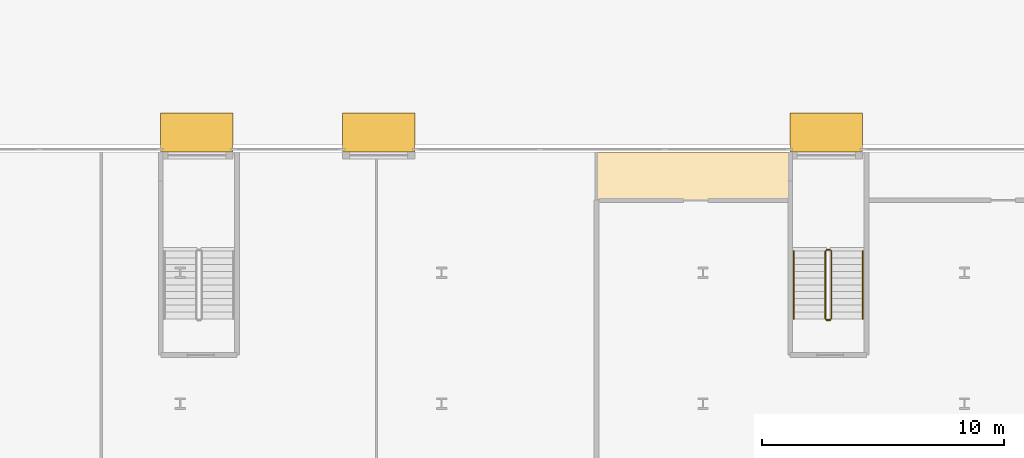
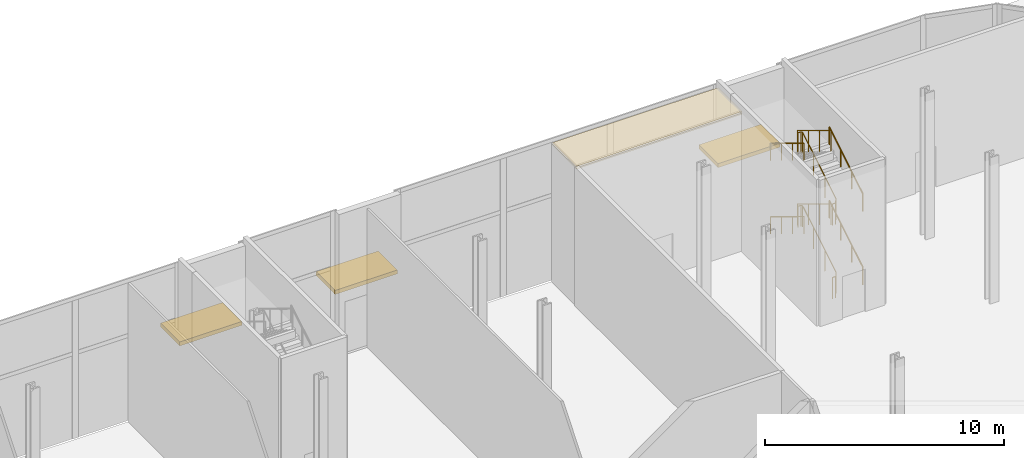
# One storey, part 45 of 46: 6 railings, 3 shading devices, 1 covering.
"""IFC4 building model written with IfcOpenShell, lengths in metres."""

from ifc_helpers import new_model, si_unit, direction, frame, origin, origin_2d, place, context, subcontext, project, spatial, polyline, rectangle, circle, outline, extrude, material, layer, layer_set, type_object, element, save


model = new_model("IFC4")

# Units and contexts
model_context = context("Model", 3, precision=1e-05, world=origin(), true_north=direction((0.0, 1.0)))
body_context = subcontext(model_context, "Body", "Model", "MODEL_VIEW")
ifc_project = project(units=[si_unit("LENGTHUNIT", "METRE"), si_unit("AREAUNIT", "SQUARE_METRE"), si_unit("VOLUMEUNIT", "CUBIC_METRE"), si_unit("PLANEANGLEUNIT", "RADIAN"), si_unit("MASSUNIT", "GRAM", prefix="KILO")], contexts=[model_context])

# Site, building, storey
site_placement = place(None, origin())
site = spatial("IfcSite", under=ifc_project, at=site_placement, CompositionType="ELEMENT")
building_placement = place(site_placement, origin())
building = spatial("IfcBuilding", under=site, at=building_placement, Name="Kheshtan School and Residences Tower", CompositionType="ELEMENT")
storey_placement = place(building_placement, origin())
storey = spatial("IfcBuildingStorey", under=building, at=storey_placement, Name="L00", CompositionType="ELEMENT", Elevation=0.0)

# Shading devices
ifc_material_1 = material(Name="Zinc standing seam on insulated deck")
ifc_layer_1 = layer(ifc_material_1, 0.10009765625)
ifc_layer_set_1 = layer_set([ifc_layer_1], Name="Canopy awning")
shading_device_type = type_object("IfcShadingDeviceType", Name="Canopy awning", PredefinedType="AWNING", material=ifc_layer_set_1)
for number, where, z_axis, x_axis, name in (
    (1, (91.489990234375, 110.800048828125, 3.0), (0.0, 0.0, 1.0), (1.0, 0.0, 0.0), "Entrance canopy 4.7"),
    (2, (99.0, 110.800048828125, 3.0), (0.0, 0.0, 1.0), (1.0, 0.0, 0.0), "Entrance canopy 4.9"),
    (3, (117.489990234375, 110.800048828125, 3.0), (0.0, 0.0, 1.0), (1.0, 0.0, 0.0), "Entrance canopy 4.11"),
):
    element("IfcShadingDevice", number, at=place(storey_placement, frame(where, z_axis=z_axis, x_axis=x_axis)), inside=storey, type_object=shading_device_type, Name=name, PredefinedType="AWNING", context=body_context, shape_type="SweptSolid", body=[
        extrude(rectangle(XDim=3.0, YDim=1.60009765625, at=origin_2d()), origin(), (0.0, 0.0, 1.0), 0.199951171875),
    ])

# Railings
ifc_material_2 = material(Name="Stainless steel balustrade", Category="steel")
railing_type_1 = type_object("IfcRailingType", Name="Stair guard 1100", PredefinedType="GUARDRAIL", material=ifc_material_2)
railing_1_placement = place(storey_placement, frame((117.699951171875, 103.10009765625, 0.17041015625)))
element("IfcRailing", 4, at=railing_1_placement, inside=storey, type_object=railing_type_1, Name="L00 PS-116-102 stair guard 1", PredefinedType="GUARDRAIL", context=body_context, shape_type="SweptSolid", body=[
    extrude(circle(Radius=0.02392578125, at=origin_2d()), frame((0.0, 0.0, 1.076171875), z_axis=(0.0, 0.854149651119, 0.520027281489), x_axis=(-1.0, 0.0, 0.0)), (0.0, 0.0, 1.0), 3.27783203125),
    extrude(circle(Radius=0.02392578125, at=origin_2d()), frame((0.0, 2.7998046875, 2.78076171875), z_axis=(-0.707106781187, 0.707106781187, 0.0), x_axis=(-0.707106781187, -0.707106781187, 0.0)), (0.0, 0.0, 1.0), 0.07080078125),
    extrude(circle(Radius=0.02392578125, at=origin_2d()), frame((-0.050048828125, 2.849853515625, 2.78076171875), z_axis=(-1.0, 0.0, 0.0), x_axis=(0.0, -1.0, 0.0)), (0.0, 0.0, 1.0), 0.14990234375),
    extrude(circle(Radius=0.02392578125, at=origin_2d()), frame((-0.199951171875, 2.849853515625, 2.78076171875), z_axis=(-0.271230943075, -0.271230943075, 0.923508284228), x_axis=(0.707106781187, -0.707106781187, 0.0)), (0.0, 0.0, 1.0), 0.1845703125),
    extrude(circle(Radius=0.02392578125, at=origin_2d()), frame((-0.25, 2.7998046875, 2.951171875), z_axis=(0.0, -0.854149651119, 0.520027281489), x_axis=(1.0, 0.0, 0.0)), (0.0, 0.0, 1.0), 3.27783203125),
    extrude(circle(Radius=0.02392578125, at=origin_2d()), frame((-0.25, 0.0, 4.65576171875), z_axis=(0.707106781187, -0.707106781187, 0.0), x_axis=(0.707106781187, 0.707106781187, 0.0)), (0.0, 0.0, 1.0), 0.07080078125),
    extrude(circle(Radius=0.02392578125, at=origin_2d()), frame((-0.199951171875, -0.050048828125, 4.65576171875), z_axis=(1.0, 0.0, 0.0), x_axis=(0.0, 1.0, 0.0)), (0.0, 0.0, 1.0), 0.14990234375),
    extrude(circle(Radius=0.02392578125, at=origin_2d()), frame((-0.050048828125, -0.050048828125, 4.65576171875), z_axis=(0.271230943075, 0.271230943075, 0.923508284228), x_axis=(-0.707106781187, 0.707106781187, 0.0)), (0.0, 0.0, 1.0), 0.1845703125),
    extrude(circle(Radius=0.02392578125, at=origin_2d()), frame((0.0, 0.0, 4.826171875), z_axis=(0.0, 0.854149651119, 0.520027281489), x_axis=(-1.0, 0.0, 0.0)), (0.0, 0.0, 1.0), 3.27783203125),
    extrude(circle(Radius=0.02392578125, at=origin_2d()), frame((0.0, 2.7998046875, 6.53076171875), z_axis=(-0.707106781187, 0.707106781187, 0.0), x_axis=(-0.707106781187, -0.707106781187, 0.0)), (0.0, 0.0, 1.0), 0.07080078125),
    extrude(circle(Radius=0.02392578125, at=origin_2d()), frame((-0.050048828125, 2.849853515625, 6.53076171875), z_axis=(-1.0, 0.0, 0.0), x_axis=(0.0, -1.0, 0.0)), (0.0, 0.0, 1.0), 0.14990234375),
    extrude(circle(Radius=0.02392578125, at=origin_2d()), frame((-0.199951171875, 2.849853515625, 6.53076171875), z_axis=(-0.271230943075, -0.271230943075, 0.923508284228), x_axis=(0.707106781187, -0.707106781187, 0.0)), (0.0, 0.0, 1.0), 0.1845703125),
    extrude(circle(Radius=0.02392578125, at=origin_2d()), frame((-0.25, 2.7998046875, 6.701171875), z_axis=(0.0, -0.854149651119, 0.520027281489), x_axis=(1.0, 0.0, 0.0)), (0.0, 0.0, 1.0), 3.27783203125),
    extrude(circle(Radius=0.02099609375, at=origin_2d()), origin(), (0.0, 0.0, 1.0), 1.052001953125),
    extrude(circle(Radius=0.02099609375, at=origin_2d()), frame((0.0, 0.933349609375, 0.568115234375)), (0.0, 0.0, 1.0), 1.052001953125),
    extrude(circle(Radius=0.02099609375, at=origin_2d()), frame((0.0, 1.866455078125, 1.136474609375)), (0.0, 0.0, 1.0), 1.052001953125),
    extrude(circle(Radius=0.02099609375, at=origin_2d()), frame((0.0, 2.7998046875, 1.70458984375)), (0.0, 0.0, 1.0), 1.052001953125),
    extrude(circle(Radius=0.02099609375, at=origin_2d()), frame((-0.050048828125, 2.849853515625, 1.70458984375)), (0.0, 0.0, 1.0), 1.052001953125),
    extrude(circle(Radius=0.02099609375, at=origin_2d()), frame((-0.199951171875, 2.849853515625, 1.70458984375)), (0.0, 0.0, 1.0), 1.052001953125),
    extrude(circle(Radius=0.02099609375, at=origin_2d()), frame((-0.25, 2.7998046875, 1.875)), (0.0, 0.0, 1.0), 1.052001953125),
    extrude(circle(Radius=0.02099609375, at=origin_2d()), frame((-0.25, 1.866455078125, 2.443115234375)), (0.0, 0.0, 1.0), 1.052001953125),
    extrude(circle(Radius=0.02099609375, at=origin_2d()), frame((-0.25, 0.933349609375, 3.011474609375)), (0.0, 0.0, 1.0), 1.052001953125),
    extrude(circle(Radius=0.02099609375, at=origin_2d()), frame((-0.25, 0.0, 3.57958984375)), (0.0, 0.0, 1.0), 1.052001953125),
    extrude(circle(Radius=0.02099609375, at=origin_2d()), frame((-0.199951171875, -0.050048828125, 3.57958984375)), (0.0, 0.0, 1.0), 1.052001953125),
    extrude(circle(Radius=0.02099609375, at=origin_2d()), frame((-0.050048828125, -0.050048828125, 3.57958984375)), (0.0, 0.0, 1.0), 1.052001953125),
    extrude(circle(Radius=0.02099609375, at=origin_2d()), frame((0.0, 0.0, 3.75)), (0.0, 0.0, 1.0), 1.052001953125),
    extrude(circle(Radius=0.02099609375, at=origin_2d()), frame((0.0, 0.933349609375, 4.318115234375)), (0.0, 0.0, 1.0), 1.052001953125),
    extrude(circle(Radius=0.02099609375, at=origin_2d()), frame((0.0, 1.866455078125, 4.886474609375)), (0.0, 0.0, 1.0), 1.052001953125),
    extrude(circle(Radius=0.02099609375, at=origin_2d()), frame((0.0, 2.7998046875, 5.45458984375)), (0.0, 0.0, 1.0), 1.052001953125),
    extrude(circle(Radius=0.02099609375, at=origin_2d()), frame((-0.050048828125, 2.849853515625, 5.45458984375)), (0.0, 0.0, 1.0), 1.052001953125),
    extrude(circle(Radius=0.02099609375, at=origin_2d()), frame((-0.199951171875, 2.849853515625, 5.45458984375)), (0.0, 0.0, 1.0), 1.052001953125),
    extrude(circle(Radius=0.02099609375, at=origin_2d()), frame((-0.25, 2.7998046875, 5.625)), (0.0, 0.0, 1.0), 1.052001953125),
    extrude(circle(Radius=0.02099609375, at=origin_2d()), frame((-0.25, 1.866455078125, 6.193115234375)), (0.0, 0.0, 1.0), 1.052001953125),
    extrude(circle(Radius=0.02099609375, at=origin_2d()), frame((-0.25, 0.933349609375, 6.761474609375)), (0.0, 0.0, 1.0), 1.052001953125),
    extrude(circle(Radius=0.02099609375, at=origin_2d()), frame((-0.25, 0.0, 7.32958984375)), (0.0, 0.0, 1.0), 1.052001953125),
])
railing_2_placement = place(storey_placement, frame((117.64990234375, 103.050048828125, 0.0)))
element("IfcRailing", 5, at=railing_2_placement, inside=storey, type_object=railing_type_1, Name="L00 PS-116-102 stair guard 2", PredefinedType="GUARDRAIL", context=body_context, shape_type="SweptSolid", body=[
    extrude(circle(Radius=0.02392578125, at=origin_2d()), frame((0.0, 0.0, 1.076171875), z_axis=(-1.0, 0.0, 0.0), x_axis=(0.0, -1.0, 0.0)), (0.0, 0.0, 1.0), 0.14990234375),
    extrude(circle(Radius=0.02099609375, at=origin_2d()), origin(), (0.0, 0.0, 1.0), 1.052001953125),
    extrude(circle(Radius=0.02099609375, at=origin_2d()), frame((-0.14990234375, 0.0, 0.0)), (0.0, 0.0, 1.0), 1.052001953125),
])
ifc_material_3 = material(Name="Stainless steel handrail", Category="steel")
railing_type_2 = type_object("IfcRailingType", Name="Stair handrail 900", PredefinedType="HANDRAIL", material=ifc_material_3)
railing_3_placement = place(storey_placement, frame((119.0, 103.10009765625, 0.17041015625)))
element("IfcRailing", 6, at=railing_3_placement, inside=storey, type_object=railing_type_2, Name="L00 PS-116-102 stair handrail 1", PredefinedType="HANDRAIL", context=body_context, shape_type="SweptSolid", body=[
    extrude(circle(Radius=0.02392578125, at=origin_2d()), frame((0.0, 0.0, 0.8759765625), z_axis=(0.0, 0.854149651119, 0.520027281489), x_axis=(-1.0, 0.0, 0.0)), (0.0, 0.0, 1.0), 3.27783203125),
    extrude(circle(Radius=0.02099609375, at=origin_2d()), origin(), (0.0, 0.0, 1.0), 0.851806640625),
    extrude(circle(Radius=0.02099609375, at=origin_2d()), frame((0.0, 0.933349609375, 0.568115234375)), (0.0, 0.0, 1.0), 0.851806640625),
    extrude(circle(Radius=0.02099609375, at=origin_2d()), frame((0.0, 1.866455078125, 1.136474609375)), (0.0, 0.0, 1.0), 0.851806640625),
    extrude(circle(Radius=0.02099609375, at=origin_2d()), frame((0.0, 2.7998046875, 1.70458984375)), (0.0, 0.0, 1.0), 0.851806640625),
])
railing_4_placement = place(storey_placement, frame((116.14990234375, 105.89990234375, 2.04541015625)))
element("IfcRailing", 7, at=railing_4_placement, inside=storey, type_object=railing_type_2, Name="L00 PS-116-102 stair handrail 2", PredefinedType="HANDRAIL", context=body_context, shape_type="SweptSolid", body=[
    extrude(circle(Radius=0.02392578125, at=origin_2d()), frame((0.0, 0.0, 0.8759765625), z_axis=(0.0, -0.854149651119, 0.520027281489), x_axis=(1.0, 0.0, 0.0)), (0.0, 0.0, 1.0), 3.27783203125),
    extrude(circle(Radius=0.02099609375, at=origin_2d()), origin(), (0.0, 0.0, 1.0), 0.851806640625),
    extrude(circle(Radius=0.02099609375, at=origin_2d()), frame((0.0, -0.933349609375, 0.568115234375)), (0.0, 0.0, 1.0), 0.851806640625),
    extrude(circle(Radius=0.02099609375, at=origin_2d()), frame((0.0, -1.866455078125, 1.136474609375)), (0.0, 0.0, 1.0), 0.851806640625),
    extrude(circle(Radius=0.02099609375, at=origin_2d()), frame((0.0, -2.7998046875, 1.70458984375)), (0.0, 0.0, 1.0), 0.851806640625),
])
railing_5_placement = place(storey_placement, frame((119.0, 103.10009765625, 3.92041015625)))
element("IfcRailing", 8, at=railing_5_placement, inside=storey, type_object=railing_type_2, Name="L00 PS-116-102 stair handrail 3", PredefinedType="HANDRAIL", context=body_context, shape_type="SweptSolid", body=[
    extrude(circle(Radius=0.02392578125, at=origin_2d()), frame((0.0, 0.0, 0.8759765625), z_axis=(0.0, 0.854149651119, 0.520027281489), x_axis=(-1.0, 0.0, 0.0)), (0.0, 0.0, 1.0), 3.27783203125),
    extrude(circle(Radius=0.02099609375, at=origin_2d()), origin(), (0.0, 0.0, 1.0), 0.851806640625),
    extrude(circle(Radius=0.02099609375, at=origin_2d()), frame((0.0, 0.933349609375, 0.568115234375)), (0.0, 0.0, 1.0), 0.851806640625),
    extrude(circle(Radius=0.02099609375, at=origin_2d()), frame((0.0, 1.866455078125, 1.136474609375)), (0.0, 0.0, 1.0), 0.851806640625),
    extrude(circle(Radius=0.02099609375, at=origin_2d()), frame((0.0, 2.7998046875, 1.70458984375)), (0.0, 0.0, 1.0), 0.851806640625),
])
railing_6_placement = place(storey_placement, frame((116.14990234375, 105.89990234375, 5.79541015625)))
element("IfcRailing", 9, at=railing_6_placement, inside=storey, type_object=railing_type_2, Name="L00 PS-116-102 stair handrail 4", PredefinedType="HANDRAIL", context=body_context, shape_type="SweptSolid", body=[
    extrude(circle(Radius=0.02392578125, at=origin_2d()), frame((0.0, 0.0, 0.8759765625), z_axis=(0.0, -0.854149651119, 0.520027281489), x_axis=(1.0, 0.0, 0.0)), (0.0, 0.0, 1.0), 3.27783203125),
    extrude(circle(Radius=0.02099609375, at=origin_2d()), origin(), (0.0, 0.0, 1.0), 0.851806640625),
    extrude(circle(Radius=0.02099609375, at=origin_2d()), frame((0.0, -0.933349609375, 0.568115234375)), (0.0, 0.0, 1.0), 0.851806640625),
    extrude(circle(Radius=0.02099609375, at=origin_2d()), frame((0.0, -1.866455078125, 1.136474609375)), (0.0, 0.0, 1.0), 0.851806640625),
    extrude(circle(Radius=0.02099609375, at=origin_2d()), frame((0.0, -2.7998046875, 1.70458984375)), (0.0, 0.0, 1.0), 0.851806640625),
])

# Covering
ifc_material_4 = material(Name="Plasterboard ceiling tiles on metal grid")
ifc_layer_2 = layer(ifc_material_4, 0.14990234375)
ifc_layer_set_2 = layer_set([ifc_layer_2], Name="Suspended ceiling 150 plasterboard tiles")
covering_type = type_object("IfcCoveringType", Name="Suspended ceiling 150 plasterboard tiles", PredefinedType="CEILING", material=ifc_layer_set_2)
covering_placement = place(storey_placement, frame((0.0, 0.0, 6.929931640625)))
element("IfcCovering", 10, at=covering_placement, inside=storey, type_object=covering_type, Name="Ceiling School Reception L00", PredefinedType="CEILING", context=body_context, shape_type="SweptSolid", body=[
    extrude(outline(polyline([(116.0, 110.0), (116.0, 108.0), (108.0, 108.0), (108.0, 110.0), (116.0, 110.0)])), origin(), (0.0, 0.0, 1.0), 0.150146484375),
])

save(model, "model.ifc")
